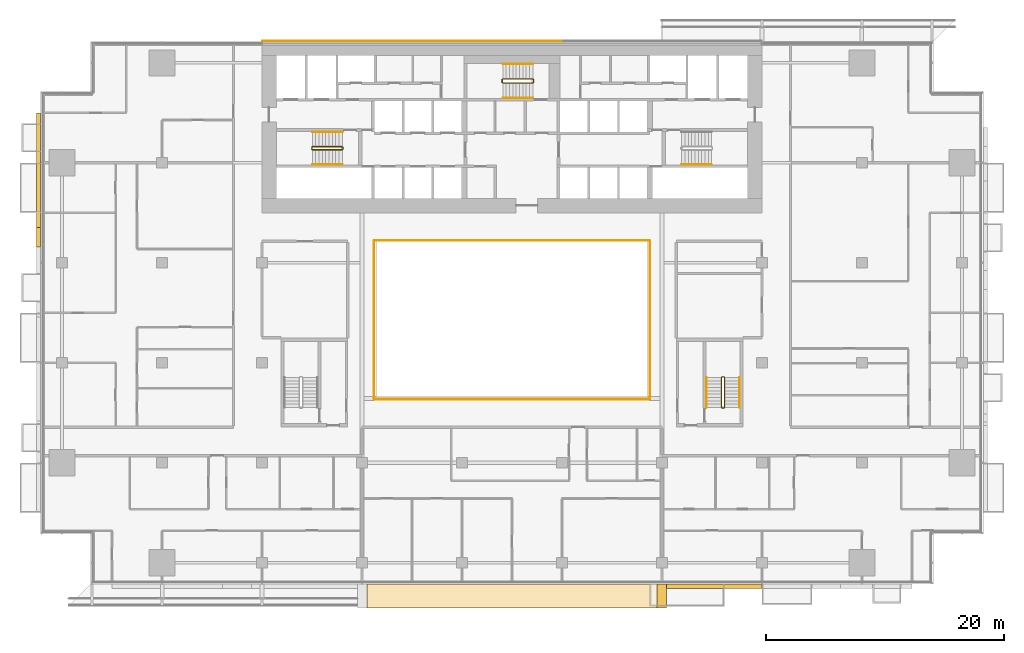
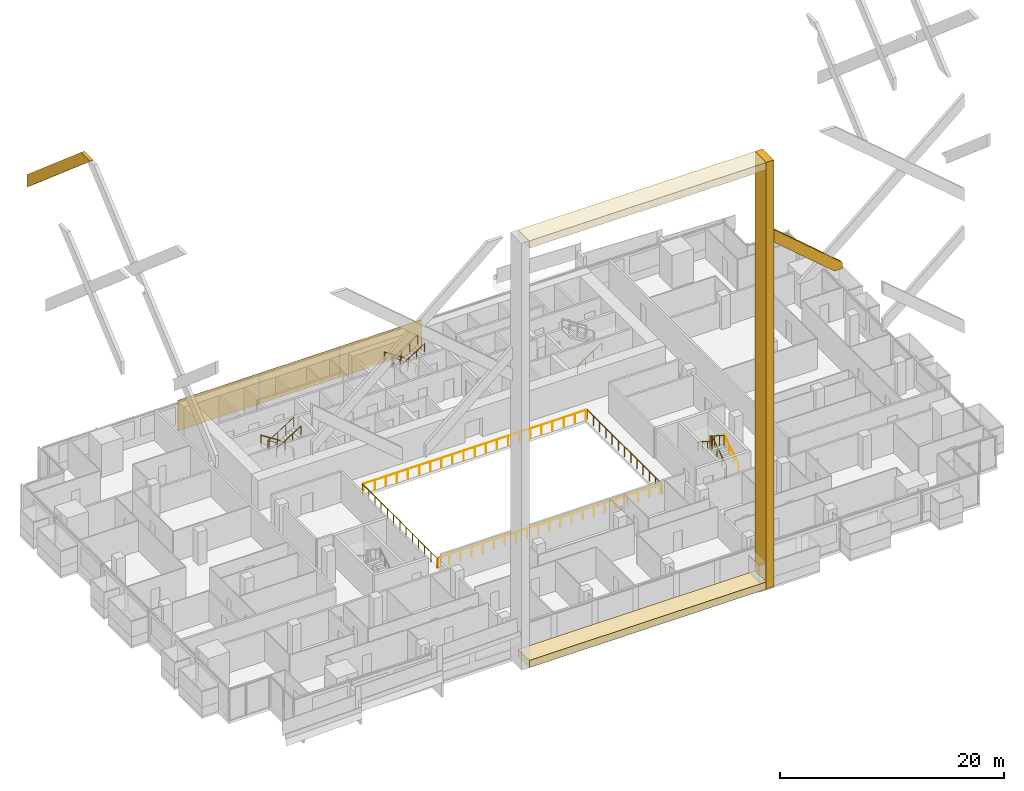
# One storey, part 27 of 30: 14 railings, 8 coverings.
"""IFC4 building model written with IfcOpenShell, lengths in metres."""

import ifcopenshell
import ifcopenshell.guid

model = None  # the IFC model being written
_history = None  # IfcOwnerHistory: only IFC2X3 demands one
_inside = {}  # id of a spatial element -> (the spatial element, [elements in it])
_under = {}  # id of a project, library or spatial element -> (it, [spatial elements below it])
_declared = {}  # id of a project -> (the project, [libraries it declares])
_typed = {}  # id of a type object -> (the type object, [elements of that type])
_made_of = {}  # id of a material, layer set ... -> (it, [elements and type objects made of it])


def new_model(schema):
    """Start an empty IFC model of exactly this schema.

    Asked for "IFC4X3", IfcOpenShell would pick the latest addendum, in which some entities
    have other attributes; the version numbers below select the first issue.
    IFC2X3 requires an IfcOwnerHistory on every rooted entity: one is made here for all.
    """
    global model, _history
    if schema == "IFC4X3":
        model = ifcopenshell.file(schema_version=(4, 3, 0, 0))
    else:
        model = ifcopenshell.file(schema=schema)
    _inside.clear()
    _under.clear()
    _declared.clear()
    _typed.clear()
    _made_of.clear()
    _history = None
    if model.schema == "IFC2X3":
        org = make("IfcOrganization", Name="unknown")
        user = make(
            "IfcPersonAndOrganization",
            ThePerson=make("IfcPerson", FamilyName="unknown"),
            TheOrganization=org,
        )
        app = make(
            "IfcApplication",
            ApplicationDeveloper=org,
            Version="unknown",
            ApplicationFullName="unknown",
            ApplicationIdentifier="unknown",
        )
        _history = make(
            "IfcOwnerHistory",
            OwningUser=user,
            OwningApplication=app,
            ChangeAction="ADDED",
            CreationDate=0,
        )
    return model


def make(cls, **values):
    """One entity of the class cls with the attributes given. An attribute that is None is left unset."""
    return model.create_entity(
        cls, **{name: value for name, value in values.items() if value is not None}
    )


def rooted(cls, **values):
    """An entity with a GlobalId (a new one), such as an element, a storey or a relation."""
    return make(cls, GlobalId=ifcopenshell.guid.new(), OwnerHistory=_history, **values)


def si_unit(unit_type, name, prefix=None):
    """IfcSIUnit, for example si_unit("LENGTHUNIT", "METRE", prefix="MILLI")."""
    return make("IfcSIUnit", UnitType=unit_type, Prefix=prefix, Name=name)


def assignment(units):
    """IfcUnitAssignment: the units of a project."""
    return None if units is None else make("IfcUnitAssignment", Units=units)


def point(xyz):
    """IfcCartesianPoint."""
    return None if xyz is None else make("IfcCartesianPoint", Coordinates=xyz)


def direction(xyz):
    """IfcDirection."""
    return None if xyz is None else make("IfcDirection", DirectionRatios=xyz)


def frame(location, z_axis=None, x_axis=None):
    """IfcAxis2Placement3D, a coordinate frame: its origin and axes. An axis left out is left unset."""
    return make(
        "IfcAxis2Placement3D",
        Location=point(location),
        Axis=direction(z_axis),
        RefDirection=direction(x_axis),
    )


def frame_2d(location, x_axis=None):
    """IfcAxis2Placement2D, a coordinate frame in the plane: its origin and x axis."""
    return make(
        "IfcAxis2Placement2D", Location=point(location), RefDirection=direction(x_axis)
    )


def origin():
    """The frame at (0, 0, 0) with its axes left unset."""
    return frame((0.0, 0.0, 0.0))


def origin_2d():
    """The frame at (0, 0) in the plane with its x axis left unset."""
    return frame_2d((0.0, 0.0))


def place(relative_to, where):
    """IfcLocalPlacement: puts the frame where relative to a parent placement (None: the world)."""
    return make(
        "IfcLocalPlacement", PlacementRelTo=relative_to, RelativePlacement=where
    )


def context(
    kind, dimensions, precision=None, world=None, true_north=None, identifier=None
):
    """IfcGeometricRepresentationContext, for example the 3D "Model" context."""
    return make(
        "IfcGeometricRepresentationContext",
        ContextIdentifier=identifier,
        ContextType=kind,
        CoordinateSpaceDimension=dimensions,
        Precision=precision,
        WorldCoordinateSystem=world,
        TrueNorth=true_north,
    )


def subcontext(parent, identifier, kind, view, scale=None):
    """IfcGeometricRepresentationSubContext, for example "Body" below "Model"."""
    return make(
        "IfcGeometricRepresentationSubContext",
        ContextIdentifier=identifier,
        ContextType=kind,
        ParentContext=parent,
        TargetScale=scale,
        TargetView=view,
    )


def project(units=None, contexts=None):
    """IfcProject with its units and contexts."""
    return rooted(
        "IfcProject",
        Name="project",
        RepresentationContexts=contexts,
        UnitsInContext=assignment(units),
    )


def spatial(cls, under=None, at=None, **own):
    """A site, building, storey or space (cls), placed at a placement, below another one or the project."""
    s = rooted(cls, ObjectPlacement=at, **own)
    if under is not None:
        _under.setdefault(under.id(), (under, []))[1].append(s)
    return s


def polyline(points):
    """IfcPolyline through the points."""
    return make("IfcPolyline", Points=[point(p) for p in points])


def profile(cls, at=None, kind="AREA", **sizes):
    """A parametric profile (cls). Its sizes go by their IFC names, for example OverallWidth=200.0."""
    return make(cls, ProfileType=kind, Position=at, **sizes)


def circle(**sizes):
    """IfcCircleProfileDef."""
    return profile("IfcCircleProfileDef", **sizes)


def outline(outer, holes=None, kind="AREA"):
    """IfcArbitraryClosedProfileDef: a profile drawn as a closed curve; with holes, ...WithVoids."""
    if holes is None:
        return make("IfcArbitraryClosedProfileDef", ProfileType=kind, OuterCurve=outer)
    return make(
        "IfcArbitraryProfileDefWithVoids",
        ProfileType=kind,
        OuterCurve=outer,
        InnerCurves=holes,
    )


def extrude(swept, where, along, depth):
    """IfcExtrudedAreaSolid: the profile swept, set in the frame where, extruded along a direction by depth."""
    return make(
        "IfcExtrudedAreaSolid",
        SweptArea=swept,
        Position=where,
        ExtrudedDirection=direction(along),
        Depth=depth,
    )


def shape(context_of_items, identifier, shape_type, items):
    """IfcShapeRepresentation: the items that make up one representation, for example the "Body"."""
    return make(
        "IfcShapeRepresentation",
        ContextOfItems=context_of_items,
        RepresentationIdentifier=identifier,
        RepresentationType=shape_type,
        Items=items,
    )


def material(Name=None, Category=None):
    """IfcMaterial."""
    return make("IfcMaterial", Name=Name, Category=Category)


def layer(
    of_material, thickness, ventilated=None, Name=None, Category=None, Priority=None
):
    """IfcMaterialLayer: one layer of a wall or slab, of a material (None: an air gap)."""
    return make(
        "IfcMaterialLayer",
        Material=of_material,
        LayerThickness=thickness,
        IsVentilated=ventilated,
        Name=Name,
        Category=Category,
        Priority=Priority,
    )


def layer_set(layers, Name=None):
    """IfcMaterialLayerSet."""
    return make("IfcMaterialLayerSet", MaterialLayers=layers, LayerSetName=Name)


def made_of(thing, what):
    """Note that an element or type object is made of a material, layer set ...; save() writes the relation."""
    if what is not None:
        _made_of.setdefault(what.id(), (what, []))[1].append(thing)
    return thing


def type_object(cls, material=None, **own):
    """A type object (cls), such as IfcWallType, which elements share."""
    return made_of(rooted(cls, **own), material)


def element(
    cls,
    number,
    at=None,
    inside=None,
    cuts=None,
    type_object=None,
    material=None,
    context=None,
    identifier="Body",
    shape_type=None,
    held_by="IfcProductDefinitionShape",
    body=None,
    shapes=None,
    **own,
):
    """One element of the class cls, such as IfcWall. Its Tag is "e" and its number.

    at: its placement. inside: the storey or other place that contains it. cuts: it is an
    opening in that element (IfcRelVoidsElement). A single representation is given by context,
    identifier, shape_type and body (its items); several are given by shapes. held_by: the class
    of the entity that holds the representations. save() writes the other relations.
    """
    e = rooted(cls, Tag="e%d" % number, ObjectPlacement=at, **own)
    if body is not None:
        shapes = [shape(context, identifier, shape_type, body)]
    if shapes is not None:
        e.Representation = make(held_by, Representations=shapes)
    if inside is not None:
        _inside.setdefault(inside.id(), (inside, []))[1].append(e)
    if cuts is not None:
        rooted(
            "IfcRelVoidsElement", RelatingBuildingElement=cuts, RelatedOpeningElement=e
        )
    if type_object is not None:
        _typed.setdefault(type_object.id(), (type_object, []))[1].append(e)
    return made_of(e, material)


def aggregate(whole, parts):
    """IfcRelAggregates: a whole, such as a stair, and the parts it consists of."""
    return rooted("IfcRelAggregates", RelatingObject=whole, RelatedObjects=parts)


def save(model, path):
    """Write the relations noted so far, then the file.

    IfcRelAggregates (storeys below a building ...), IfcRelContainedInSpatialStructure (elements
    in a storey), IfcRelDefinesByType, IfcRelAssociatesMaterial and IfcRelDeclares: one each for
    every whole, place, type object, material and project.
    """
    for whole, parts in _under.values():
        aggregate(whole, parts)
    for where, things in _inside.values():
        rooted(
            "IfcRelContainedInSpatialStructure",
            RelatedElements=things,
            RelatingStructure=where,
        )
    for kind, things in _typed.values():
        rooted("IfcRelDefinesByType", RelatedObjects=things, RelatingType=kind)
    for what, things in _made_of.values():
        rooted("IfcRelAssociatesMaterial", RelatedObjects=things, RelatingMaterial=what)
    for by, libraries in _declared.values():
        rooted("IfcRelDeclares", RelatingContext=by, RelatedDefinitions=libraries)
    model.write(path)


model = new_model("IFC4")

# Units and contexts
model_context = context("Model", 3, precision=1e-05, world=origin(), true_north=direction((0.0, 1.0)))
body_context = subcontext(model_context, "Body", "Model", "MODEL_VIEW")
ifc_project = project(units=[si_unit("LENGTHUNIT", "METRE"), si_unit("AREAUNIT", "SQUARE_METRE"), si_unit("VOLUMEUNIT", "CUBIC_METRE"), si_unit("PLANEANGLEUNIT", "RADIAN"), si_unit("MASSUNIT", "GRAM", prefix="KILO")], contexts=[model_context])

# Site, building, storey
site_placement = place(None, origin())
site = spatial("IfcSite", under=ifc_project, at=site_placement, CompositionType="ELEMENT")
building_placement = place(site_placement, origin())
building = spatial("IfcBuilding", under=site, at=building_placement, Name="Saffron Gate Tower", CompositionType="ELEMENT")
storey_placement = place(building_placement, frame((0.0, 0.0, 37.199951171875)))
storey = spatial("IfcBuildingStorey", under=building, at=storey_placement, Name="L07", CompositionType="ELEMENT", Elevation=37.199951171875)

# Railings
ifc_material_1 = material(Name="Stainless steel and laminated glass", Category="steel")
railing_type_1 = type_object("IfcRailingType", Name="AG1 Atrium edge guard 1100", PredefinedType="GUARDRAIL", material=ifc_material_1)
railing_1_placement = place(storey_placement, frame((76.02001953125, 45.5400390625, 0.0)))
element("IfcRailing", 1, at=railing_1_placement, inside=storey, type_object=railing_type_1, Name="Guard A1-1", PredefinedType="GUARDRAIL", context=body_context, shape_type="SweptSolid", body=[
    extrude(circle(Radius=0.02392578125, at=origin_2d()), frame((0.0, 0.0, 1.076171875), z_axis=(0.0, 1.0, 0.0), x_axis=(-1.0, 0.0, 0.0)), (0.0, 0.0, 1.0), 13.320068359375),
    extrude(circle(Radius=0.02099609375, at=origin_2d()), origin(), (0.0, 0.0, 1.0), 1.052001953125),
    extrude(circle(Radius=0.02099609375, at=origin_2d()), frame((0.0, 1.110107421875, 0.0)), (0.0, 0.0, 1.0), 1.052001953125),
    extrude(circle(Radius=0.02099609375, at=origin_2d()), frame((0.0, 2.219970703125, 0.0)), (0.0, 0.0, 1.0), 1.052001953125),
    extrude(circle(Radius=0.02099609375, at=origin_2d()), frame((0.0, 3.330078125, 0.0)), (0.0, 0.0, 1.0), 1.052001953125),
    extrude(circle(Radius=0.02099609375, at=origin_2d()), frame((0.0, 4.43994140625, 0.0)), (0.0, 0.0, 1.0), 1.052001953125),
    extrude(circle(Radius=0.02099609375, at=origin_2d()), frame((0.0, 5.550048828125, 0.0)), (0.0, 0.0, 1.0), 1.052001953125),
    extrude(circle(Radius=0.02099609375, at=origin_2d()), frame((0.0, 6.66015625, 0.0)), (0.0, 0.0, 1.0), 1.052001953125),
    extrude(circle(Radius=0.02099609375, at=origin_2d()), frame((0.0, 7.77001953125, 0.0)), (0.0, 0.0, 1.0), 1.052001953125),
    extrude(circle(Radius=0.02099609375, at=origin_2d()), frame((0.0, 8.880126953125, 0.0)), (0.0, 0.0, 1.0), 1.052001953125),
    extrude(circle(Radius=0.02099609375, at=origin_2d()), frame((0.0, 9.989990234375, 0.0)), (0.0, 0.0, 1.0), 1.052001953125),
    extrude(circle(Radius=0.02099609375, at=origin_2d()), frame((0.0, 11.10009765625, 0.0)), (0.0, 0.0, 1.0), 1.052001953125),
    extrude(circle(Radius=0.02099609375, at=origin_2d()), frame((0.0, 12.2099609375, 0.0)), (0.0, 0.0, 1.0), 1.052001953125),
    extrude(circle(Radius=0.02099609375, at=origin_2d()), frame((0.0, 13.320068359375, 0.0)), (0.0, 0.0, 1.0), 1.052001953125),
])
railing_2_placement = place(storey_placement, frame((76.139892578125, 58.860107421875, 0.0)))
element("IfcRailing", 2, at=railing_2_placement, inside=storey, type_object=railing_type_1, Name="Guard A1-2", PredefinedType="GUARDRAIL", context=body_context, shape_type="SweptSolid", body=[
    extrude(circle(Radius=0.02392578125, at=origin_2d()), frame((0.0, 0.0, 1.076171875), z_axis=(1.0, 0.0, 0.0), x_axis=(0.0, 1.0, 0.0)), (0.0, 0.0, 1.0), 22.920166015625),
    extrude(circle(Radius=0.02099609375, at=origin_2d()), origin(), (0.0, 0.0, 1.0), 1.052001953125),
    extrude(circle(Radius=0.02099609375, at=origin_2d()), frame((1.14599609375, 0.0, 0.0)), (0.0, 0.0, 1.0), 1.052001953125),
    extrude(circle(Radius=0.02099609375, at=origin_2d()), frame((2.2919921875, 0.0, 0.0)), (0.0, 0.0, 1.0), 1.052001953125),
    extrude(circle(Radius=0.02099609375, at=origin_2d()), frame((3.43798828125, 0.0, 0.0)), (0.0, 0.0, 1.0), 1.052001953125),
    extrude(circle(Radius=0.02099609375, at=origin_2d()), frame((4.583984375, 0.0, 0.0)), (0.0, 0.0, 1.0), 1.052001953125),
    extrude(circle(Radius=0.02099609375, at=origin_2d()), frame((5.72998046875, 0.0, 0.0)), (0.0, 0.0, 1.0), 1.052001953125),
    extrude(circle(Radius=0.02099609375, at=origin_2d()), frame((6.8759765625, 0.0, 0.0)), (0.0, 0.0, 1.0), 1.052001953125),
    extrude(circle(Radius=0.02099609375, at=origin_2d()), frame((8.02197265625, 0.0, 0.0)), (0.0, 0.0, 1.0), 1.052001953125),
    extrude(circle(Radius=0.02099609375, at=origin_2d()), frame((9.16796875, 0.0, 0.0)), (0.0, 0.0, 1.0), 1.052001953125),
    extrude(circle(Radius=0.02099609375, at=origin_2d()), frame((10.31396484375, 0.0, 0.0)), (0.0, 0.0, 1.0), 1.052001953125),
    extrude(circle(Radius=0.02099609375, at=origin_2d()), frame((11.4599609375, 0.0, 0.0)), (0.0, 0.0, 1.0), 1.052001953125),
    extrude(circle(Radius=0.02099609375, at=origin_2d()), frame((12.606201171875, 0.0, 0.0)), (0.0, 0.0, 1.0), 1.052001953125),
    extrude(circle(Radius=0.02099609375, at=origin_2d()), frame((13.752197265625, 0.0, 0.0)), (0.0, 0.0, 1.0), 1.052001953125),
    extrude(circle(Radius=0.02099609375, at=origin_2d()), frame((14.898193359375, 0.0, 0.0)), (0.0, 0.0, 1.0), 1.052001953125),
    extrude(circle(Radius=0.02099609375, at=origin_2d()), frame((16.044189453125, 0.0, 0.0)), (0.0, 0.0, 1.0), 1.052001953125),
    extrude(circle(Radius=0.02099609375, at=origin_2d()), frame((17.190185546875, 0.0, 0.0)), (0.0, 0.0, 1.0), 1.052001953125),
    extrude(circle(Radius=0.02099609375, at=origin_2d()), frame((18.336181640625, 0.0, 0.0)), (0.0, 0.0, 1.0), 1.052001953125),
    extrude(circle(Radius=0.02099609375, at=origin_2d()), frame((19.482177734375, 0.0, 0.0)), (0.0, 0.0, 1.0), 1.052001953125),
    extrude(circle(Radius=0.02099609375, at=origin_2d()), frame((20.628173828125, 0.0, 0.0)), (0.0, 0.0, 1.0), 1.052001953125),
    extrude(circle(Radius=0.02099609375, at=origin_2d()), frame((21.774169921875, 0.0, 0.0)), (0.0, 0.0, 1.0), 1.052001953125),
    extrude(circle(Radius=0.02099609375, at=origin_2d()), frame((22.920166015625, 0.0, 0.0)), (0.0, 0.0, 1.0), 1.052001953125),
])
railing_3_placement = place(storey_placement, frame((99.179931640625, 58.860107421875, 0.0)))
element("IfcRailing", 3, at=railing_3_placement, inside=storey, type_object=railing_type_1, Name="Guard A1-3", PredefinedType="GUARDRAIL", context=body_context, shape_type="SweptSolid", body=[
    extrude(circle(Radius=0.02392578125, at=origin_2d()), frame((0.0, 0.0, 1.076171875), z_axis=(0.0, -1.0, 0.0), x_axis=(1.0, 0.0, 0.0)), (0.0, 0.0, 1.0), 13.320068359375),
    extrude(circle(Radius=0.02099609375, at=origin_2d()), origin(), (0.0, 0.0, 1.0), 1.052001953125),
    extrude(circle(Radius=0.02099609375, at=origin_2d()), frame((0.0, -1.110107421875, 0.0)), (0.0, 0.0, 1.0), 1.052001953125),
    extrude(circle(Radius=0.02099609375, at=origin_2d()), frame((0.0, -2.219970703125, 0.0)), (0.0, 0.0, 1.0), 1.052001953125),
    extrude(circle(Radius=0.02099609375, at=origin_2d()), frame((0.0, -3.330078125, 0.0)), (0.0, 0.0, 1.0), 1.052001953125),
    extrude(circle(Radius=0.02099609375, at=origin_2d()), frame((0.0, -4.43994140625, 0.0)), (0.0, 0.0, 1.0), 1.052001953125),
    extrude(circle(Radius=0.02099609375, at=origin_2d()), frame((0.0, -5.550048828125, 0.0)), (0.0, 0.0, 1.0), 1.052001953125),
    extrude(circle(Radius=0.02099609375, at=origin_2d()), frame((0.0, -6.66015625, 0.0)), (0.0, 0.0, 1.0), 1.052001953125),
    extrude(circle(Radius=0.02099609375, at=origin_2d()), frame((0.0, -7.77001953125, 0.0)), (0.0, 0.0, 1.0), 1.052001953125),
    extrude(circle(Radius=0.02099609375, at=origin_2d()), frame((0.0, -8.880126953125, 0.0)), (0.0, 0.0, 1.0), 1.052001953125),
    extrude(circle(Radius=0.02099609375, at=origin_2d()), frame((0.0, -9.989990234375, 0.0)), (0.0, 0.0, 1.0), 1.052001953125),
    extrude(circle(Radius=0.02099609375, at=origin_2d()), frame((0.0, -11.10009765625, 0.0)), (0.0, 0.0, 1.0), 1.052001953125),
    extrude(circle(Radius=0.02099609375, at=origin_2d()), frame((0.0, -12.2099609375, 0.0)), (0.0, 0.0, 1.0), 1.052001953125),
    extrude(circle(Radius=0.02099609375, at=origin_2d()), frame((0.0, -13.320068359375, 0.0)), (0.0, 0.0, 1.0), 1.052001953125),
])
railing_4_placement = place(storey_placement, frame((99.06005859375, 45.5400390625, 0.0)))
element("IfcRailing", 4, at=railing_4_placement, inside=storey, type_object=railing_type_1, Name="Guard A1-4", PredefinedType="GUARDRAIL", context=body_context, shape_type="SweptSolid", body=[
    extrude(circle(Radius=0.02392578125, at=origin_2d()), frame((0.0, 0.0, 1.076171875), z_axis=(-1.0, 0.0, 0.0), x_axis=(0.0, -1.0, 0.0)), (0.0, 0.0, 1.0), 22.920166015625),
    extrude(circle(Radius=0.02099609375, at=origin_2d()), origin(), (0.0, 0.0, 1.0), 1.052001953125),
    extrude(circle(Radius=0.02099609375, at=origin_2d()), frame((-1.14599609375, 0.0, 0.0)), (0.0, 0.0, 1.0), 1.052001953125),
    extrude(circle(Radius=0.02099609375, at=origin_2d()), frame((-2.2919921875, 0.0, 0.0)), (0.0, 0.0, 1.0), 1.052001953125),
    extrude(circle(Radius=0.02099609375, at=origin_2d()), frame((-3.43798828125, 0.0, 0.0)), (0.0, 0.0, 1.0), 1.052001953125),
    extrude(circle(Radius=0.02099609375, at=origin_2d()), frame((-4.583984375, 0.0, 0.0)), (0.0, 0.0, 1.0), 1.052001953125),
    extrude(circle(Radius=0.02099609375, at=origin_2d()), frame((-5.72998046875, 0.0, 0.0)), (0.0, 0.0, 1.0), 1.052001953125),
    extrude(circle(Radius=0.02099609375, at=origin_2d()), frame((-6.8759765625, 0.0, 0.0)), (0.0, 0.0, 1.0), 1.052001953125),
    extrude(circle(Radius=0.02099609375, at=origin_2d()), frame((-8.02197265625, 0.0, 0.0)), (0.0, 0.0, 1.0), 1.052001953125),
    extrude(circle(Radius=0.02099609375, at=origin_2d()), frame((-9.16796875, 0.0, 0.0)), (0.0, 0.0, 1.0), 1.052001953125),
    extrude(circle(Radius=0.02099609375, at=origin_2d()), frame((-10.31396484375, 0.0, 0.0)), (0.0, 0.0, 1.0), 1.052001953125),
    extrude(circle(Radius=0.02099609375, at=origin_2d()), frame((-11.4599609375, 0.0, 0.0)), (0.0, 0.0, 1.0), 1.052001953125),
    extrude(circle(Radius=0.02099609375, at=origin_2d()), frame((-12.606201171875, 0.0, 0.0)), (0.0, 0.0, 1.0), 1.052001953125),
    extrude(circle(Radius=0.02099609375, at=origin_2d()), frame((-13.752197265625, 0.0, 0.0)), (0.0, 0.0, 1.0), 1.052001953125),
    extrude(circle(Radius=0.02099609375, at=origin_2d()), frame((-14.898193359375, 0.0, 0.0)), (0.0, 0.0, 1.0), 1.052001953125),
    extrude(circle(Radius=0.02099609375, at=origin_2d()), frame((-16.044189453125, 0.0, 0.0)), (0.0, 0.0, 1.0), 1.052001953125),
    extrude(circle(Radius=0.02099609375, at=origin_2d()), frame((-17.190185546875, 0.0, 0.0)), (0.0, 0.0, 1.0), 1.052001953125),
    extrude(circle(Radius=0.02099609375, at=origin_2d()), frame((-18.336181640625, 0.0, 0.0)), (0.0, 0.0, 1.0), 1.052001953125),
    extrude(circle(Radius=0.02099609375, at=origin_2d()), frame((-19.482177734375, 0.0, 0.0)), (0.0, 0.0, 1.0), 1.052001953125),
    extrude(circle(Radius=0.02099609375, at=origin_2d()), frame((-20.628173828125, 0.0, 0.0)), (0.0, 0.0, 1.0), 1.052001953125),
    extrude(circle(Radius=0.02099609375, at=origin_2d()), frame((-21.774169921875, 0.0, 0.0)), (0.0, 0.0, 1.0), 1.052001953125),
    extrude(circle(Radius=0.02099609375, at=origin_2d()), frame((-22.920166015625, 0.0, 0.0)), (0.0, 0.0, 1.0), 1.052001953125),
])

# Coverings
ifc_material_2 = material(Name="Ceramic-printed bronze insulated panel")
ifc_layer_1 = layer(ifc_material_2, 0.0400390625)
ifc_layer_set_1 = layer_set([ifc_layer_1], Name="CLD1 ceramic-printed cladding panel 40")
covering_type_1 = type_object("IfcCoveringType", Name="CLD1 ceramic-printed cladding panel 40", PredefinedType="CLADDING", material=ifc_layer_set_1)
covering_1_placement = place(storey_placement, origin())
element("IfcCovering", 5, at=covering_1_placement, inside=storey, type_object=covering_type_1, Name="CLADDING ceramic-printed panel", PredefinedType="CLADDING", context=body_context, shape_type="SweptSolid", body=[
    extrude(outline(polyline([(91.764892578125, 75.639892578125), (83.43505859375, 75.639892578125), (83.43505859375, 75.60009765625), (91.764892578125, 75.60009765625), (91.764892578125, 75.639892578125)])), origin(), (0.0, 0.0, 1.0), 3.320068359375),
])
covering_2_placement = place(storey_placement, origin())
element("IfcCovering", 6, at=covering_2_placement, inside=storey, type_object=covering_type_1, Name="CLADDING ceramic-printed panel", PredefinedType="CLADDING", context=body_context, shape_type="SweptSolid", body=[
    extrude(outline(polyline([(83.364990234375, 75.639892578125), (75.034912109375, 75.639892578125), (75.034912109375, 75.60009765625), (83.364990234375, 75.60009765625), (83.364990234375, 75.639892578125)])), origin(), (0.0, 0.0, 1.0), 3.320068359375),
])
covering_3_placement = place(storey_placement, origin())
element("IfcCovering", 7, at=covering_3_placement, inside=storey, type_object=covering_type_1, Name="CLADDING ceramic-printed panel", PredefinedType="CLADDING", context=body_context, shape_type="SweptSolid", body=[
    extrude(outline(polyline([(74.965087890625, 75.639892578125), (66.635009765625, 75.639892578125), (66.635009765625, 75.60009765625), (74.965087890625, 75.60009765625), (74.965087890625, 75.639892578125)])), origin(), (0.0, 0.0, 1.0), 3.320068359375),
])

# Railings
railing_type_2 = type_object("IfcRailingType", Name="CR1 Stair guard 1100", PredefinedType="GUARDRAIL", material=ifc_material_1)
railing_5_placement = place(storey_placement, frame((73.39990234375, 66.550048828125, 0.0)))
element("IfcRailing", 8, at=railing_5_placement, inside=storey, type_object=railing_type_2, Name="L07 ST-A stair guard 1", PredefinedType="GUARDRAIL", context=body_context, shape_type="SweptSolid", body=[
    extrude(circle(Radius=0.02392578125, at=origin_2d()), frame((0.0, 0.0, 1.076171875), z_axis=(0.0, 1.0, 0.0), x_axis=(-1.0, 0.0, 0.0)), (0.0, 0.0, 1.0), 0.14990234375),
    extrude(circle(Radius=0.02392578125, at=origin_2d()), frame((0.0, 0.14990234375, 1.076171875), z_axis=(-0.257669022063, 0.258932105505, 0.930892496375), x_axis=(-0.708833529934, -0.705375805398, 0.0)), (0.0, 0.0, 1.0), 0.193359375),
    extrude(circle(Radius=0.02392578125, at=origin_2d()), frame((-0.0498046875, 0.199951171875, 1.255859375), z_axis=(-0.841162588446, 0.0, 0.540782303519), x_axis=(0.0, -1.0, 0.0)), (0.0, 0.0, 1.0), 2.995849609375),
    extrude(circle(Radius=0.02392578125, at=origin_2d()), frame((-2.56982421875, 0.199951171875, 2.8759765625), z_axis=(-0.707106781187, -0.707106781187, 0.0), x_axis=(0.707106781187, -0.707106781187, 0.0)), (0.0, 0.0, 1.0), 0.07080078125),
    extrude(circle(Radius=0.02392578125, at=origin_2d()), frame((-2.619873046875, 0.14990234375, 2.8759765625), z_axis=(0.0, -1.0, 0.0), x_axis=(1.0, 0.0, 0.0)), (0.0, 0.0, 1.0), 0.14990234375),
    extrude(circle(Radius=0.02392578125, at=origin_2d()), frame((-2.619873046875, 0.0, 2.8759765625), z_axis=(0.258847668887, -0.258847668887, 0.930588936439), x_axis=(0.707106781187, 0.707106781187, 0.0)), (0.0, 0.0, 1.0), 0.193359375),
    extrude(circle(Radius=0.02392578125, at=origin_2d()), frame((-2.56982421875, -0.050048828125, 3.05615234375), z_axis=(0.841162588446, 0.0, 0.540782303519), x_axis=(0.0, 1.0, 0.0)), (0.0, 0.0, 1.0), 2.995849609375),
    extrude(circle(Radius=0.02099609375, at=origin_2d()), origin(), (0.0, 0.0, 1.0), 1.052001953125),
    extrude(circle(Radius=0.02099609375, at=origin_2d()), frame((0.0, 0.14990234375, 0.0)), (0.0, 0.0, 1.0), 1.052001953125),
    extrude(circle(Radius=0.02099609375, at=origin_2d()), frame((-0.0498046875, 0.199951171875, 0.179931640625)), (0.0, 0.0, 1.0), 1.052001953125),
    extrude(circle(Radius=0.02099609375, at=origin_2d()), frame((-0.889892578125, 0.199951171875, 0.719970703125)), (0.0, 0.0, 1.0), 1.052001953125),
    extrude(circle(Radius=0.02099609375, at=origin_2d()), frame((-1.729736328125, 0.199951171875, 1.260009765625)), (0.0, 0.0, 1.0), 1.052001953125),
    extrude(circle(Radius=0.02099609375, at=origin_2d()), frame((-2.56982421875, 0.199951171875, 1.800048828125)), (0.0, 0.0, 1.0), 1.052001953125),
    extrude(circle(Radius=0.02099609375, at=origin_2d()), frame((-2.619873046875, 0.14990234375, 1.800048828125)), (0.0, 0.0, 1.0), 1.052001953125),
    extrude(circle(Radius=0.02099609375, at=origin_2d()), frame((-2.619873046875, 0.0, 1.800048828125)), (0.0, 0.0, 1.0), 1.052001953125),
    extrude(circle(Radius=0.02099609375, at=origin_2d()), frame((-2.56982421875, -0.050048828125, 1.97998046875)), (0.0, 0.0, 1.0), 1.052001953125),
    extrude(circle(Radius=0.02099609375, at=origin_2d()), frame((-1.729736328125, -0.050048828125, 2.52001953125)), (0.0, 0.0, 1.0), 1.052001953125),
    extrude(circle(Radius=0.02099609375, at=origin_2d()), frame((-0.889892578125, -0.050048828125, 3.06005859375)), (0.0, 0.0, 1.0), 1.052001953125),
    extrude(circle(Radius=0.02099609375, at=origin_2d()), frame((-0.0498046875, -0.050048828125, 3.60009765625)), (0.0, 0.0, 1.0), 1.052001953125),
])
railing_6_placement = place(storey_placement, frame((89.39990234375, 72.14990234375, 0.0)))
element("IfcRailing", 9, at=railing_6_placement, inside=storey, type_object=railing_type_2, Name="L07 ST-C stair guard 1", PredefinedType="GUARDRAIL", context=body_context, shape_type="SweptSolid", body=[
    extrude(circle(Radius=0.02392578125, at=origin_2d()), frame((0.0, 0.0, 1.076171875), z_axis=(0.0, 1.0, 0.0), x_axis=(-1.0, 0.0, 0.0)), (0.0, 0.0, 1.0), 0.25),
    extrude(circle(Radius=0.02392578125, at=origin_2d()), frame((0.0, 0.25, 1.076171875), z_axis=(-0.257669022063, 0.258932105505, 0.930892496375), x_axis=(-0.708833529934, -0.705375805398, 0.0)), (0.0, 0.0, 1.0), 0.193359375),
    extrude(circle(Radius=0.02392578125, at=origin_2d()), frame((-0.0498046875, 0.300048828125, 1.255859375), z_axis=(-0.841162588446, 0.0, 0.540782303519), x_axis=(0.0, -1.0, 0.0)), (0.0, 0.0, 1.0), 2.995849609375),
    extrude(circle(Radius=0.02392578125, at=origin_2d()), frame((-2.56982421875, 0.300048828125, 2.8759765625), z_axis=(-0.707106781187, -0.707106781187, 0.0), x_axis=(0.707106781187, -0.707106781187, 0.0)), (0.0, 0.0, 1.0), 0.07080078125),
    extrude(circle(Radius=0.02392578125, at=origin_2d()), frame((-2.619873046875, 0.25, 2.8759765625), z_axis=(0.0, -1.0, 0.0), x_axis=(1.0, 0.0, 0.0)), (0.0, 0.0, 1.0), 0.25),
    extrude(circle(Radius=0.02392578125, at=origin_2d()), frame((-2.619873046875, 0.0, 2.8759765625), z_axis=(0.258932105505, -0.257669022063, 0.930892496375), x_axis=(0.705375805398, 0.708833529934, 0.0)), (0.0, 0.0, 1.0), 0.193359375),
    extrude(circle(Radius=0.02392578125, at=origin_2d()), frame((-2.56982421875, -0.0498046875, 3.05615234375), z_axis=(0.841162588446, 0.0, 0.540782303519), x_axis=(0.0, 1.0, 0.0)), (0.0, 0.0, 1.0), 2.995849609375),
    extrude(circle(Radius=0.02099609375, at=origin_2d()), origin(), (0.0, 0.0, 1.0), 1.052001953125),
    extrude(circle(Radius=0.02099609375, at=origin_2d()), frame((0.0, 0.25, 0.0)), (0.0, 0.0, 1.0), 1.052001953125),
    extrude(circle(Radius=0.02099609375, at=origin_2d()), frame((-0.0498046875, 0.300048828125, 0.179931640625)), (0.0, 0.0, 1.0), 1.052001953125),
    extrude(circle(Radius=0.02099609375, at=origin_2d()), frame((-0.889892578125, 0.300048828125, 0.719970703125)), (0.0, 0.0, 1.0), 1.052001953125),
    extrude(circle(Radius=0.02099609375, at=origin_2d()), frame((-1.729736328125, 0.300048828125, 1.260009765625)), (0.0, 0.0, 1.0), 1.052001953125),
    extrude(circle(Radius=0.02099609375, at=origin_2d()), frame((-2.56982421875, 0.300048828125, 1.800048828125)), (0.0, 0.0, 1.0), 1.052001953125),
    extrude(circle(Radius=0.02099609375, at=origin_2d()), frame((-2.619873046875, 0.25, 1.800048828125)), (0.0, 0.0, 1.0), 1.052001953125),
    extrude(circle(Radius=0.02099609375, at=origin_2d()), frame((-2.619873046875, 0.0, 1.800048828125)), (0.0, 0.0, 1.0), 1.052001953125),
    extrude(circle(Radius=0.02099609375, at=origin_2d()), frame((-2.56982421875, -0.0498046875, 1.97998046875)), (0.0, 0.0, 1.0), 1.052001953125),
    extrude(circle(Radius=0.02099609375, at=origin_2d()), frame((-1.729736328125, -0.0498046875, 2.52001953125)), (0.0, 0.0, 1.0), 1.052001953125),
    extrude(circle(Radius=0.02099609375, at=origin_2d()), frame((-0.889892578125, -0.0498046875, 3.06005859375)), (0.0, 0.0, 1.0), 1.052001953125),
    extrude(circle(Radius=0.02099609375, at=origin_2d()), frame((-0.0498046875, -0.0498046875, 3.60009765625)), (0.0, 0.0, 1.0), 1.052001953125),
])
railing_7_placement = place(storey_placement, frame((105.25, 44.800048828125, 0.0)))
element("IfcRailing", 10, at=railing_7_placement, inside=storey, type_object=railing_type_2, Name="L07 ST-E stair guard 1", PredefinedType="GUARDRAIL", context=body_context, shape_type="SweptSolid", body=[
    extrude(circle(Radius=0.02392578125, at=origin_2d()), frame((0.0, 0.0, 1.076171875), z_axis=(1.0, 0.0, 0.0), x_axis=(0.0, 1.0, 0.0)), (0.0, 0.0, 1.0), 0.14990234375),
    extrude(circle(Radius=0.02392578125, at=origin_2d()), frame((0.14990234375, 0.0, 1.076171875), z_axis=(0.258847668887, 0.258847668887, 0.930588936439), x_axis=(-0.707106781187, 0.707106781187, 0.0)), (0.0, 0.0, 1.0), 0.193359375),
    extrude(circle(Radius=0.02392578125, at=origin_2d()), frame((0.199951171875, 0.050048828125, 1.255859375), z_axis=(0.0, 0.841162588446, 0.540782303519), x_axis=(-1.0, 0.0, 0.0)), (0.0, 0.0, 1.0), 2.995849609375),
    extrude(circle(Radius=0.02392578125, at=origin_2d()), frame((0.199951171875, 2.570068359375, 2.8759765625), z_axis=(-0.708833529934, 0.705375805398, 0.0), x_axis=(-0.705375805398, -0.708833529934, 0.0)), (0.0, 0.0, 1.0), 0.070556640625),
    extrude(circle(Radius=0.02392578125, at=origin_2d()), frame((0.14990234375, 2.619873046875, 2.8759765625), z_axis=(-1.0, 0.0, 0.0), x_axis=(0.0, -1.0, 0.0)), (0.0, 0.0, 1.0), 0.14990234375),
    extrude(circle(Radius=0.02392578125, at=origin_2d()), frame((0.0, 2.619873046875, 2.8759765625), z_axis=(-0.258932105505, -0.257669022063, 0.930892496375), x_axis=(0.705375805398, -0.708833529934, 0.0)), (0.0, 0.0, 1.0), 0.193359375),
    extrude(circle(Radius=0.02392578125, at=origin_2d()), frame((-0.050048828125, 2.570068359375, 3.05615234375), z_axis=(0.0, -0.841162588446, 0.540782303519), x_axis=(1.0, 0.0, 0.0)), (0.0, 0.0, 1.0), 2.995849609375),
    extrude(circle(Radius=0.02099609375, at=origin_2d()), origin(), (0.0, 0.0, 1.0), 1.052001953125),
    extrude(circle(Radius=0.02099609375, at=origin_2d()), frame((0.14990234375, 0.0, 0.0)), (0.0, 0.0, 1.0), 1.052001953125),
    extrude(circle(Radius=0.02099609375, at=origin_2d()), frame((0.199951171875, 0.050048828125, 0.179931640625)), (0.0, 0.0, 1.0), 1.052001953125),
    extrude(circle(Radius=0.02099609375, at=origin_2d()), frame((0.199951171875, 0.89013671875, 0.719970703125)), (0.0, 0.0, 1.0), 1.052001953125),
    extrude(circle(Radius=0.02099609375, at=origin_2d()), frame((0.199951171875, 1.72998046875, 1.260009765625)), (0.0, 0.0, 1.0), 1.052001953125),
    extrude(circle(Radius=0.02099609375, at=origin_2d()), frame((0.199951171875, 2.570068359375, 1.800048828125)), (0.0, 0.0, 1.0), 1.052001953125),
    extrude(circle(Radius=0.02099609375, at=origin_2d()), frame((0.14990234375, 2.619873046875, 1.800048828125)), (0.0, 0.0, 1.0), 1.052001953125),
    extrude(circle(Radius=0.02099609375, at=origin_2d()), frame((0.0, 2.619873046875, 1.800048828125)), (0.0, 0.0, 1.0), 1.052001953125),
    extrude(circle(Radius=0.02099609375, at=origin_2d()), frame((-0.050048828125, 2.570068359375, 1.97998046875)), (0.0, 0.0, 1.0), 1.052001953125),
    extrude(circle(Radius=0.02099609375, at=origin_2d()), frame((-0.050048828125, 1.72998046875, 2.52001953125)), (0.0, 0.0, 1.0), 1.052001953125),
    extrude(circle(Radius=0.02099609375, at=origin_2d()), frame((-0.050048828125, 0.89013671875, 3.06005859375)), (0.0, 0.0, 1.0), 1.052001953125),
    extrude(circle(Radius=0.02099609375, at=origin_2d()), frame((-0.050048828125, 0.050048828125, 3.60009765625)), (0.0, 0.0, 1.0), 1.052001953125),
])
ifc_material_3 = material(Name="Stainless steel", Category="steel")
railing_type_3 = type_object("IfcRailingType", Name="CR2 Stair handrail 900", PredefinedType="HANDRAIL", material=ifc_material_3)
railing_8_placement = place(storey_placement, frame((73.35009765625, 68.0, 0.179931640625)))
element("IfcRailing", 11, at=railing_8_placement, inside=storey, type_object=railing_type_3, Name="L07 ST-A stair handrail 1", PredefinedType="HANDRAIL", context=body_context, shape_type="SweptSolid", body=[
    extrude(circle(Radius=0.02392578125, at=origin_2d()), frame((0.0, 0.0, 0.8759765625), z_axis=(-0.841162588446, 0.0, 0.540782303519), x_axis=(0.0, -1.0, 0.0)), (0.0, 0.0, 1.0), 2.995849609375),
    extrude(circle(Radius=0.02099609375, at=origin_2d()), origin(), (0.0, 0.0, 1.0), 0.851806640625),
    extrude(circle(Radius=0.02099609375, at=origin_2d()), frame((-0.840087890625, 0.0, 0.5400390625)), (0.0, 0.0, 1.0), 0.851806640625),
    extrude(circle(Radius=0.02099609375, at=origin_2d()), frame((-1.679931640625, 0.0, 1.080078125)), (0.0, 0.0, 1.0), 0.851806640625),
    extrude(circle(Radius=0.02099609375, at=origin_2d()), frame((-2.52001953125, 0.0, 1.6201171875)), (0.0, 0.0, 1.0), 0.851806640625),
])
for number, where, name in (
    (12, (70.830078125, 65.25, 1.97998046875), "L07 ST-A stair handrail 2"),
    (13, (101.85009765625, 65.25, 0.179931640625), "L07 ST-B stair handrail 1"),
):
    element("IfcRailing", number, at=place(storey_placement, frame(where)), inside=storey, type_object=railing_type_3, Name=name, PredefinedType="HANDRAIL", context=body_context, shape_type="SweptSolid", body=[
        extrude(circle(Radius=0.02392578125, at=origin_2d()), frame((0.0, 0.0, 0.8759765625), z_axis=(0.841162588446, 0.0, 0.540782303519), x_axis=(0.0, 1.0, 0.0)), (0.0, 0.0, 1.0), 2.995849609375),
        extrude(circle(Radius=0.02099609375, at=origin_2d()), origin(), (0.0, 0.0, 1.0), 0.851806640625),
        extrude(circle(Radius=0.02099609375, at=origin_2d()), frame((0.840087890625, 0.0, 0.5400390625)), (0.0, 0.0, 1.0), 0.851806640625),
        extrude(circle(Radius=0.02099609375, at=origin_2d()), frame((1.679931640625, 0.0, 1.080078125)), (0.0, 0.0, 1.0), 0.851806640625),
        extrude(circle(Radius=0.02099609375, at=origin_2d()), frame((2.52001953125, 0.0, 1.6201171875)), (0.0, 0.0, 1.0), 0.851806640625),
    ])
railing_9_placement = place(storey_placement, frame((89.35009765625, 73.699951171875, 0.179931640625)))
element("IfcRailing", 14, at=railing_9_placement, inside=storey, type_object=railing_type_3, Name="L07 ST-C stair handrail 1", PredefinedType="HANDRAIL", context=body_context, shape_type="SweptSolid", body=[
    extrude(circle(Radius=0.02392578125, at=origin_2d()), frame((0.0, 0.0, 0.8759765625), z_axis=(-0.841162588446, 0.0, 0.540782303519), x_axis=(0.0, -1.0, 0.0)), (0.0, 0.0, 1.0), 2.995849609375),
    extrude(circle(Radius=0.02099609375, at=origin_2d()), origin(), (0.0, 0.0, 1.0), 0.851806640625),
    extrude(circle(Radius=0.02099609375, at=origin_2d()), frame((-0.840087890625, 0.0, 0.5400390625)), (0.0, 0.0, 1.0), 0.851806640625),
    extrude(circle(Radius=0.02099609375, at=origin_2d()), frame((-1.679931640625, 0.0, 1.080078125)), (0.0, 0.0, 1.0), 0.851806640625),
    extrude(circle(Radius=0.02099609375, at=origin_2d()), frame((-2.52001953125, 0.0, 1.6201171875)), (0.0, 0.0, 1.0), 0.851806640625),
])
railing_10_placement = place(storey_placement, frame((86.830078125, 70.85009765625, 1.97998046875)))
element("IfcRailing", 15, at=railing_10_placement, inside=storey, type_object=railing_type_3, Name="L07 ST-C stair handrail 2", PredefinedType="HANDRAIL", context=body_context, shape_type="SweptSolid", body=[
    extrude(circle(Radius=0.02392578125, at=origin_2d()), frame((0.0, 0.0, 0.8759765625), z_axis=(0.841162588446, 0.0, 0.540782303519), x_axis=(0.0, 1.0, 0.0)), (0.0, 0.0, 1.0), 2.995849609375),
    extrude(circle(Radius=0.02099609375, at=origin_2d()), origin(), (0.0, 0.0, 1.0), 0.851806640625),
    extrude(circle(Radius=0.02099609375, at=origin_2d()), frame((0.840087890625, 0.0, 0.5400390625)), (0.0, 0.0, 1.0), 0.851806640625),
    extrude(circle(Radius=0.02099609375, at=origin_2d()), frame((1.679931640625, 0.0, 1.080078125)), (0.0, 0.0, 1.0), 0.851806640625),
    extrude(circle(Radius=0.02099609375, at=origin_2d()), frame((2.52001953125, 0.0, 1.6201171875)), (0.0, 0.0, 1.0), 0.851806640625),
])
railing_11_placement = place(storey_placement, frame((106.699951171875, 44.85009765625, 0.179931640625)))
element("IfcRailing", 16, at=railing_11_placement, inside=storey, type_object=railing_type_3, Name="L07 ST-E stair handrail 1", PredefinedType="HANDRAIL", context=body_context, shape_type="SweptSolid", body=[
    extrude(circle(Radius=0.02392578125, at=origin_2d()), frame((0.0, 0.0, 0.8759765625), z_axis=(0.0, 0.841162588446, 0.540782303519), x_axis=(-1.0, 0.0, 0.0)), (0.0, 0.0, 1.0), 2.995849609375),
    extrude(circle(Radius=0.02099609375, at=origin_2d()), origin(), (0.0, 0.0, 1.0), 0.851806640625),
    extrude(circle(Radius=0.02099609375, at=origin_2d()), frame((0.0, 0.840087890625, 0.5400390625)), (0.0, 0.0, 1.0), 0.851806640625),
    extrude(circle(Radius=0.02099609375, at=origin_2d()), frame((0.0, 1.679931640625, 1.080078125)), (0.0, 0.0, 1.0), 0.851806640625),
    extrude(circle(Radius=0.02099609375, at=origin_2d()), frame((0.0, 2.52001953125, 1.6201171875)), (0.0, 0.0, 1.0), 0.851806640625),
])
railing_12_placement = place(storey_placement, frame((103.949951171875, 47.3701171875, 1.97998046875)))
element("IfcRailing", 17, at=railing_12_placement, inside=storey, type_object=railing_type_3, Name="L07 ST-E stair handrail 2", PredefinedType="HANDRAIL", context=body_context, shape_type="SweptSolid", body=[
    extrude(circle(Radius=0.02392578125, at=origin_2d()), frame((0.0, 0.0, 0.8759765625), z_axis=(0.0, -0.841162588446, 0.540782303519), x_axis=(1.0, 0.0, 0.0)), (0.0, 0.0, 1.0), 2.995849609375),
    extrude(circle(Radius=0.02099609375, at=origin_2d()), origin(), (0.0, 0.0, 1.0), 0.851806640625),
    extrude(circle(Radius=0.02099609375, at=origin_2d()), frame((0.0, -0.840087890625, 0.5400390625)), (0.0, 0.0, 1.0), 0.851806640625),
    extrude(circle(Radius=0.02099609375, at=origin_2d()), frame((0.0, -1.679931640625, 1.080078125)), (0.0, 0.0, 1.0), 0.851806640625),
    extrude(circle(Radius=0.02099609375, at=origin_2d()), frame((0.0, -2.52001953125, 1.6201171875)), (0.0, 0.0, 1.0), 0.851806640625),
])

# Coverings
ifc_layer_2 = layer(ifc_material_2, 0.800048828125)
ifc_layer_set_2 = layer_set([ifc_layer_2], Name="FN1 atrium fin")
covering_type_2 = type_object("IfcCoveringType", Name="FN1 atrium fin", PredefinedType="CLADDING", material=ifc_layer_set_2)
covering_4_placement = place(storey_placement, origin())
element("IfcCovering", 18, at=covering_4_placement, inside=storey, type_object=covering_type_2, Name="CLADDING atrium fin", PredefinedType="CLADDING", context=body_context, shape_type="SweptSolid", body=[
    extrude(outline(polyline([(99.800048828125, 30.0), (100.60009765625, 30.0), (100.60009765625, 28.0), (99.800048828125, 28.0), (99.800048828125, 30.0)])), origin(), (0.0, 0.0, 1.0), 46.5),
])
for number, where, name in (
    (19, (0.0, 0.0, 0.0), "CLADDING atrium lintel fin"),
    (20, (0.0, 0.0, 45.699951171875), "CLADDING atrium lintel fin"),
):
    element("IfcCovering", number, at=place(storey_placement, frame(where)), inside=storey, type_object=covering_type_2, Name=name, PredefinedType="CLADDING", context=body_context, shape_type="SweptSolid", body=[
        extrude(outline(polyline([(75.39990234375, 30.0), (99.800048828125, 30.0), (99.800048828125, 28.0), (75.39990234375, 28.0), (75.39990234375, 30.0)])), origin(), (0.0, 0.0, 1.0), 0.800048828125),
    ])
ifc_layer_3 = layer(ifc_material_2, 0.35009765625)
ifc_layer_set_3 = layer_set([ifc_layer_3], Name="LZ1 lozenge lattice bar 1600")
covering_type_3 = type_object("IfcCoveringType", Name="LZ1 lozenge lattice bar 1600", PredefinedType="CLADDING", material=ifc_layer_set_3)
covering_5_placement = place(storey_placement, frame((107.8115234375, 29.64990234375, 30.847412109375), z_axis=(0.0, -1.0, 0.0), x_axis=(0.999585751511, 0.0, 0.028780642381)))
element("IfcCovering", 21, at=covering_5_placement, inside=storey, type_object=covering_type_3, Name="CLADDING lozenge lattice bar", PredefinedType="CLADDING", context=body_context, shape_type="SweptSolid", body=[
    extrude(outline(polyline([(0.0, 0.0), (0.7889010198052955, 0.0), (0.7987803125757169, 0.34311952310173255), (0.8082661200010859, 0.6725728347570235), (-7.381181396548569, 8.111303049653953), (-7.420649381962122, 6.740533233677829), (0.0, 0.0)])), origin(), (0.0, 0.0, -1.0), 0.35009765625),
])
covering_6_placement = place(storey_placement, frame((47.64990234375, 69.60009765625, 36.857177734375), z_axis=(-1.0, 0.0, 0.0), x_axis=(0.0, -0.759257765443, 0.65079001653)))
element("IfcCovering", 22, at=covering_6_placement, inside=storey, type_object=covering_type_3, Name="CLADDING lozenge lattice bar", PredefinedType="CLADDING", context=body_context, shape_type="SweptSolid", body=[
    extrude(outline(polyline([(0.0, 0.0), (14.817102322871136, -8.881784197001252e-16), (13.602401117561943, 1.041168695878846), (0.8924530085077806, 1.0411989425029375), (0.0, 0.0)])), origin(), (0.0, 0.0, -1.0), 0.35009765625),
])

save(model, "model.ifc")
